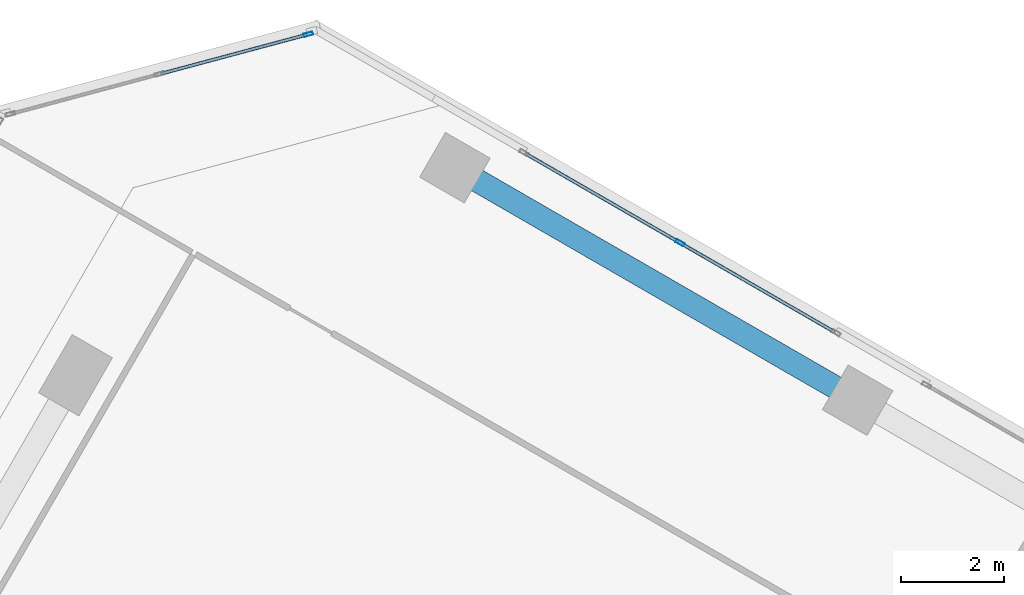
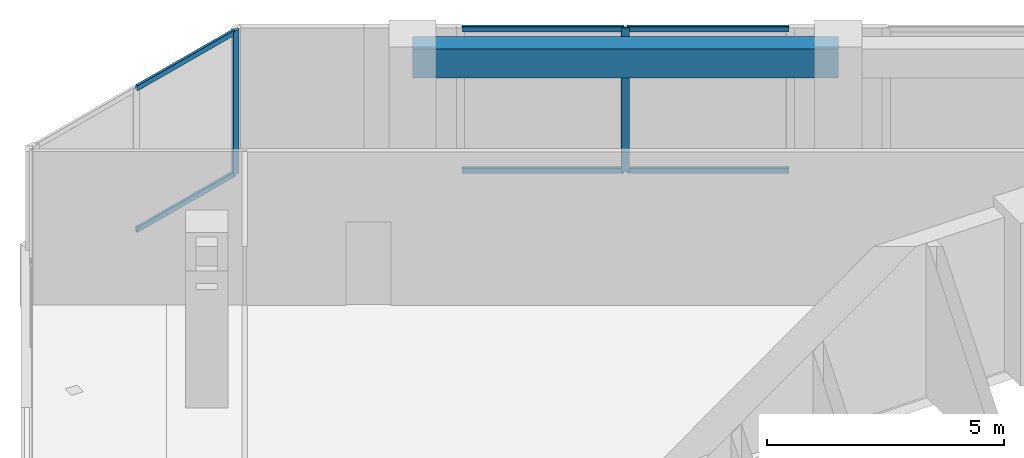
# One storey, part 14 of 21: 8 members, 1 beam, 2 elements without a shape of their own.
"""IFC4 building model written with IfcOpenShell, lengths in metres."""

from ifc_helpers import new_model, si_unit, direction, frame, origin, origin_2d, place, context, subcontext, project, spatial, rectangle, hollow_rectangle, extrude, source, transform, mapped, material, material_profile, profile_set, type_object, element, aggregate, save


model = new_model("IFC4")

# Units and contexts
model_context = context("Model", 3, precision=1e-05, world=origin(), true_north=direction((0.0, 1.0)))
body_context = subcontext(model_context, "Body", "Model", "MODEL_VIEW")
ifc_project = project(units=[si_unit("LENGTHUNIT", "METRE"), si_unit("AREAUNIT", "SQUARE_METRE"), si_unit("VOLUMEUNIT", "CUBIC_METRE"), si_unit("PLANEANGLEUNIT", "RADIAN"), si_unit("MASSUNIT", "GRAM", prefix="KILO")], contexts=[model_context])

# Site, building, storey
site_placement = place(None, origin())
site = spatial("IfcSite", under=ifc_project, at=site_placement, CompositionType="ELEMENT")
building_placement = place(site_placement, origin())
building = spatial("IfcBuilding", under=site, at=building_placement, Name="Torre Montelarca", CompositionType="ELEMENT")
storey_placement = place(building_placement, frame((0.0, 0.0, 179.199951171875)))
storey = spatial("IfcBuildingStorey", under=building, at=storey_placement, Name="L40", CompositionType="ELEMENT", Elevation=179.199951171875)

# Beam
ifc_material_1 = material(Name="Concrete C55/67", Category="concrete")
ifc_material_profile_1 = material_profile(ifc_material_1, rectangle(XDim=0.449951171875, YDim=0.75, at=origin_2d()), Name="RCB450X750", Category="concrete")
ifc_profile_set_1 = profile_set([ifc_material_profile_1], Name="Concrete C55/67")
beam_type = type_object("IfcBeamType", Name="BM-SP-RC750-EXT", PredefinedType="SPANDREL", material=ifc_profile_set_1)
shared_shape_1 = source(origin(), body_context, "Body", "SweptSolid", [
    extrude(rectangle(XDim=0.449951171875, YDim=0.75, at=origin_2d()), origin(), (0.0, 0.0, 1.0), 9.0),
])
beam_placement = place(storey_placement, frame((18.249755859375, 51.370361328125, 3.5849609375), z_axis=(0.866024315419, -0.5000018851, 0.0), x_axis=(0.5000018851, 0.866024315419, 0.0)))
element("IfcBeam", 1, at=beam_placement, inside=storey, type_object=beam_type, Name="L40 Grid Girder X 9.0-18.0 at Y=47.1", PredefinedType="SPANDREL", context=body_context, shape_type="MappedRepresentation", body=[
    mapped(shared_shape_1, transform((0.0, 0.0, 0.0), scale=1.0)),
])

# Curtain wall, members
ifc_material_2 = material(Name="Insulated low-E laminated glass", Category="glass")
curtain_wall_type = type_object("IfcCurtainWallType", Name="CW-SYS-Z2", PredefinedType="USERDEFINED", material=ifc_material_2)
curtain_wall_1_placement = place(storey_placement, origin())
curtain_wall_1 = element("IfcCurtainWall", 2, at=curtain_wall_1_placement, inside=storey, type_object=curtain_wall_type, Name="L40 Curtain Wall Run CW-T3-L40-E09-B1", ObjectType="UNITISED GLAZING", PredefinedType="USERDEFINED")
ifc_material_3 = material(Name="Anodised aluminium AA 6063-T6", Category="aluminium")
ifc_material_profile_2 = material_profile(ifc_material_3, hollow_rectangle(XDim=0.06494140625, YDim=0.139892578125, WallThickness=0.00390625, InnerFilletRadius=0.00390625, OuterFilletRadius=0.008056640625, at=origin_2d()), Name="ALU65X140X4", Category="aluminium")
ifc_profile_set_2 = profile_set([ifc_material_profile_2], Name="Anodised aluminium AA 6063-T6")
member_type_1 = type_object("IfcMemberType", Name="CWT-ALU140", PredefinedType="USERDEFINED", material=ifc_profile_set_2)
shared_shape_2 = source(origin(), body_context, "Body", "SweptSolid", [
    extrude(hollow_rectangle(XDim=0.06494140625, YDim=0.139892578125, WallThickness=0.00390625, InnerFilletRadius=0.00390625, OuterFilletRadius=0.008056640625, at=origin_2d()), origin(), (0.0, 0.0, 1.0), 2.91845703125),
])
member_1_placement = place(storey_placement, frame((15.381103515625, 53.9443359375, 0.032470703125), z_axis=(-0.965926021302, -0.258818317304, 0.0), x_axis=(0.258818317304, -0.965926021302, 0.0)))
member_1 = element("IfcMember", 3, at=member_1_placement, type_object=member_type_1, Name="CW transom 1.1", ObjectType="TRANSOM", PredefinedType="USERDEFINED", context=body_context, shape_type="MappedRepresentation", body=[
    mapped(shared_shape_2, transform((0.0, 0.0, 0.0), scale=1.0)),
])
member_2_placement = place(storey_placement, frame((15.381103515625, 53.9443359375, 3.6875), z_axis=(-0.965926021302, -0.258818317304, 0.0), x_axis=(0.258818317304, -0.965926021302, 0.0)))
member_2 = element("IfcMember", 4, at=member_2_placement, type_object=member_type_1, Name="CW transom 1.2", ObjectType="TRANSOM", PredefinedType="USERDEFINED", context=body_context, shape_type="MappedRepresentation", body=[
    mapped(shared_shape_2, transform((0.0, 0.0, 0.0), scale=1.0)),
])

# Curtain wall, member
curtain_wall_2_placement = place(storey_placement, origin())
curtain_wall_2 = element("IfcCurtainWall", 5, at=curtain_wall_2_placement, inside=storey, type_object=curtain_wall_type, Name="L40 Curtain Wall Run CW-T3-L40-E08-B4", ObjectType="UNITISED GLAZING", PredefinedType="USERDEFINED")
ifc_material_profile_3 = material_profile(ifc_material_3, hollow_rectangle(XDim=0.06494140625, YDim=0.179931640625, WallThickness=0.00390625, InnerFilletRadius=0.00390625, OuterFilletRadius=0.008056640625, at=origin_2d()), Name="ALU65X180X4", Category="aluminium")
ifc_profile_set_3 = profile_set([ifc_material_profile_3], Name="Anodised aluminium AA 6063-T6")
member_type_2 = type_object("IfcMemberType", Name="CWM-ALU180", PredefinedType="MULLION", material=ifc_profile_set_3)
shared_shape_3 = source(origin(), body_context, "Body", "SweptSolid", [
    extrude(hollow_rectangle(XDim=0.06494140625, YDim=0.179931640625, WallThickness=0.00390625, InnerFilletRadius=0.00390625, OuterFilletRadius=0.008056640625, at=origin_2d()), origin(), (0.0, 0.0, 1.0), 3.719970703125),
])
member_3_placement = place(storey_placement, frame((22.606689453125, 49.9169921875, 0.0), z_axis=(0.0, 0.0, 1.0), x_axis=(-0.500001158972, -0.866024734651, 0.0)))
member_3 = element("IfcMember", 6, at=member_3_placement, type_object=member_type_2, Name="CW mullion 2", PredefinedType="MULLION", context=body_context, shape_type="MappedRepresentation", body=[
    mapped(shared_shape_3, transform((0.0, 0.0, 0.0), scale=1.0)),
])

# Member
member_4_placement = place(storey_placement, frame((15.412353515625, 53.95263671875, 0.0), z_axis=(0.0, 0.0, 1.0), x_axis=(0.258813977273, -0.965927184196, 0.0)))
member_4 = element("IfcMember", 7, at=member_4_placement, type_object=member_type_2, Name="CW mullion 1", PredefinedType="MULLION", context=body_context, shape_type="MappedRepresentation", body=[
    mapped(shared_shape_3, transform((0.0, 0.0, 0.0), scale=1.0)),
])

aggregate(curtain_wall_1, [member_4, member_1, member_2])

shared_shape_4 = source(origin(), body_context, "Body", "SweptSolid", [
    extrude(hollow_rectangle(XDim=0.06494140625, YDim=0.139892578125, WallThickness=0.00390625, InnerFilletRadius=0.00390625, OuterFilletRadius=0.008056640625, at=origin_2d()), origin(), (0.0, 0.0, 1.0), 3.42236328125),
])
member_5_placement = place(storey_placement, frame((25.598876953125, 48.189453125, 0.032470703125), z_axis=(-0.866026400529, 0.499998273584, 0.0), x_axis=(-0.499998273584, -0.866026400529, 0.0)))
member_5 = element("IfcMember", 8, at=member_5_placement, type_object=member_type_1, Name="CW transom 1.1", ObjectType="TRANSOM", PredefinedType="USERDEFINED", context=body_context, shape_type="MappedRepresentation", body=[
    mapped(shared_shape_4, transform((0.0, 0.0, 0.0), scale=1.0)),
])

member_6_placement = place(storey_placement, frame((25.598876953125, 48.189453125, 3.6875), z_axis=(-0.866026400529, 0.499998273584, 0.0), x_axis=(-0.499998273584, -0.866026400529, 0.0)))
member_6 = element("IfcMember", 9, at=member_6_placement, type_object=member_type_1, Name="CW transom 1.2", ObjectType="TRANSOM", PredefinedType="USERDEFINED", context=body_context, shape_type="MappedRepresentation", body=[
    mapped(shared_shape_4, transform((0.0, 0.0, 0.0), scale=1.0)),
])

member_7_placement = place(storey_placement, frame((22.57861328125, 49.933349609375, 0.032470703125), z_axis=(-0.866026400529, 0.499998273584, 0.0), x_axis=(-0.499998273584, -0.866026400529, 0.0)))
member_7 = element("IfcMember", 10, at=member_7_placement, type_object=member_type_1, Name="CW transom 2.1", ObjectType="TRANSOM", PredefinedType="USERDEFINED", context=body_context, shape_type="MappedRepresentation", body=[
    mapped(shared_shape_4, transform((0.0, 0.0, 0.0), scale=1.0)),
])

member_8_placement = place(storey_placement, frame((22.57861328125, 49.933349609375, 3.6875), z_axis=(-0.866026400529, 0.499998273584, 0.0), x_axis=(-0.499998273584, -0.866026400529, 0.0)))
member_8 = element("IfcMember", 11, at=member_8_placement, type_object=member_type_1, Name="CW transom 2.2", ObjectType="TRANSOM", PredefinedType="USERDEFINED", context=body_context, shape_type="MappedRepresentation", body=[
    mapped(shared_shape_4, transform((0.0, 0.0, 0.0), scale=1.0)),
])

aggregate(curtain_wall_2, [member_3, member_5, member_6, member_7, member_8])

save(model, "model.ifc")
